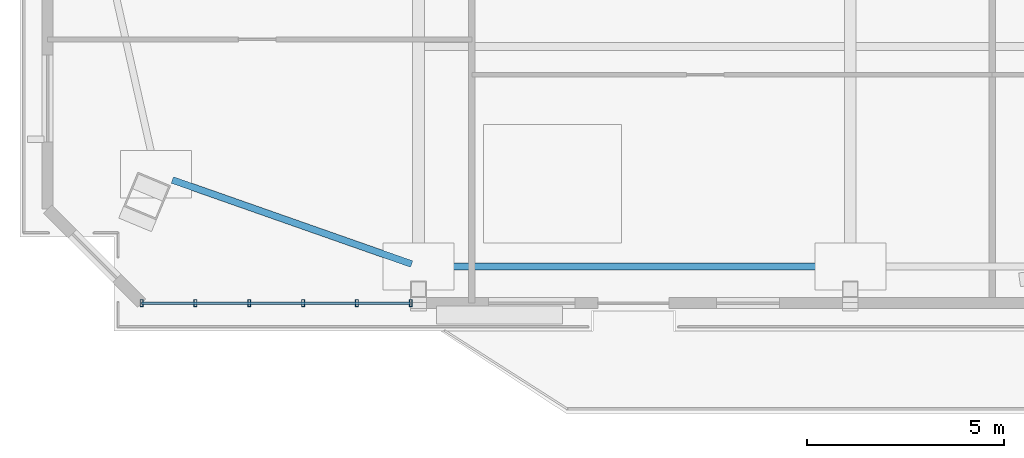
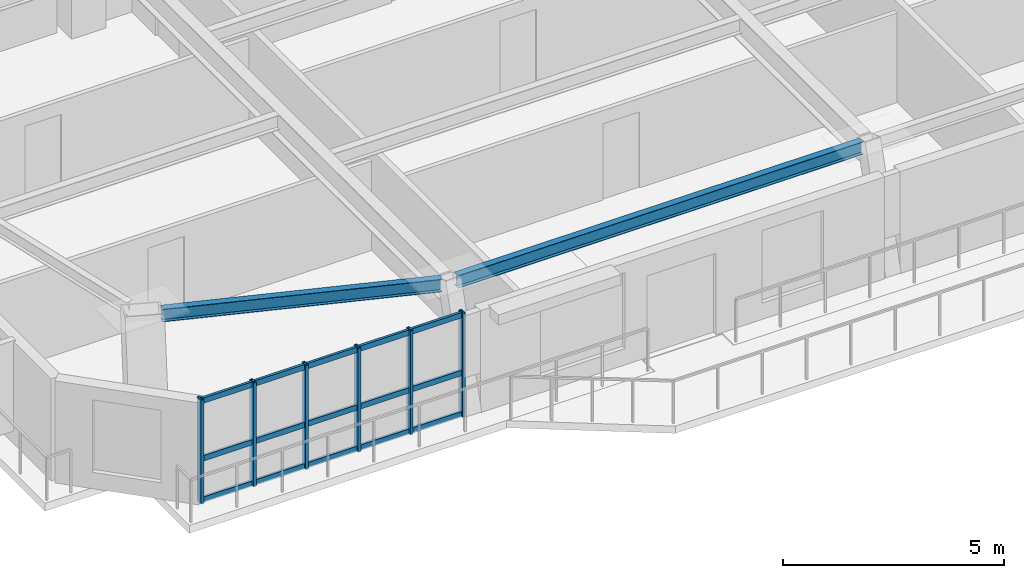
# One storey, part 2 of 14: 9 members, 2 beams, 1 element without a shape of its own.
"""IFC4 building model written with IfcOpenShell, lengths in metres."""

import ifcopenshell
import ifcopenshell.guid

model = None  # the IFC model being written
_history = None  # IfcOwnerHistory: only IFC2X3 demands one
_inside = {}  # id of a spatial element -> (the spatial element, [elements in it])
_under = {}  # id of a project, library or spatial element -> (it, [spatial elements below it])
_declared = {}  # id of a project -> (the project, [libraries it declares])
_typed = {}  # id of a type object -> (the type object, [elements of that type])
_made_of = {}  # id of a material, layer set ... -> (it, [elements and type objects made of it])


def new_model(schema):
    """Start an empty IFC model of exactly this schema.

    Asked for "IFC4X3", IfcOpenShell would pick the latest addendum, in which some entities
    have other attributes; the version numbers below select the first issue.
    IFC2X3 requires an IfcOwnerHistory on every rooted entity: one is made here for all.
    """
    global model, _history
    if schema == "IFC4X3":
        model = ifcopenshell.file(schema_version=(4, 3, 0, 0))
    else:
        model = ifcopenshell.file(schema=schema)
    _inside.clear()
    _under.clear()
    _declared.clear()
    _typed.clear()
    _made_of.clear()
    _history = None
    if model.schema == "IFC2X3":
        org = make("IfcOrganization", Name="unknown")
        user = make(
            "IfcPersonAndOrganization",
            ThePerson=make("IfcPerson", FamilyName="unknown"),
            TheOrganization=org,
        )
        app = make(
            "IfcApplication",
            ApplicationDeveloper=org,
            Version="unknown",
            ApplicationFullName="unknown",
            ApplicationIdentifier="unknown",
        )
        _history = make(
            "IfcOwnerHistory",
            OwningUser=user,
            OwningApplication=app,
            ChangeAction="ADDED",
            CreationDate=0,
        )
    return model


def make(cls, **values):
    """One entity of the class cls with the attributes given. An attribute that is None is left unset."""
    return model.create_entity(
        cls, **{name: value for name, value in values.items() if value is not None}
    )


def rooted(cls, **values):
    """An entity with a GlobalId (a new one), such as an element, a storey or a relation."""
    return make(cls, GlobalId=ifcopenshell.guid.new(), OwnerHistory=_history, **values)


def si_unit(unit_type, name, prefix=None):
    """IfcSIUnit, for example si_unit("LENGTHUNIT", "METRE", prefix="MILLI")."""
    return make("IfcSIUnit", UnitType=unit_type, Prefix=prefix, Name=name)


def assignment(units):
    """IfcUnitAssignment: the units of a project."""
    return None if units is None else make("IfcUnitAssignment", Units=units)


def point(xyz):
    """IfcCartesianPoint."""
    return None if xyz is None else make("IfcCartesianPoint", Coordinates=xyz)


def direction(xyz):
    """IfcDirection."""
    return None if xyz is None else make("IfcDirection", DirectionRatios=xyz)


def frame(location, z_axis=None, x_axis=None):
    """IfcAxis2Placement3D, a coordinate frame: its origin and axes. An axis left out is left unset."""
    return make(
        "IfcAxis2Placement3D",
        Location=point(location),
        Axis=direction(z_axis),
        RefDirection=direction(x_axis),
    )


def frame_2d(location, x_axis=None):
    """IfcAxis2Placement2D, a coordinate frame in the plane: its origin and x axis."""
    return make(
        "IfcAxis2Placement2D", Location=point(location), RefDirection=direction(x_axis)
    )


def origin():
    """The frame at (0, 0, 0) with its axes left unset."""
    return frame((0.0, 0.0, 0.0))


def origin_2d():
    """The frame at (0, 0) in the plane with its x axis left unset."""
    return frame_2d((0.0, 0.0))


def place(relative_to, where):
    """IfcLocalPlacement: puts the frame where relative to a parent placement (None: the world)."""
    return make(
        "IfcLocalPlacement", PlacementRelTo=relative_to, RelativePlacement=where
    )


def context(
    kind, dimensions, precision=None, world=None, true_north=None, identifier=None
):
    """IfcGeometricRepresentationContext, for example the 3D "Model" context."""
    return make(
        "IfcGeometricRepresentationContext",
        ContextIdentifier=identifier,
        ContextType=kind,
        CoordinateSpaceDimension=dimensions,
        Precision=precision,
        WorldCoordinateSystem=world,
        TrueNorth=true_north,
    )


def subcontext(parent, identifier, kind, view, scale=None):
    """IfcGeometricRepresentationSubContext, for example "Body" below "Model"."""
    return make(
        "IfcGeometricRepresentationSubContext",
        ContextIdentifier=identifier,
        ContextType=kind,
        ParentContext=parent,
        TargetScale=scale,
        TargetView=view,
    )


def project(units=None, contexts=None):
    """IfcProject with its units and contexts."""
    return rooted(
        "IfcProject",
        Name="project",
        RepresentationContexts=contexts,
        UnitsInContext=assignment(units),
    )


def spatial(cls, under=None, at=None, **own):
    """A site, building, storey or space (cls), placed at a placement, below another one or the project."""
    s = rooted(cls, ObjectPlacement=at, **own)
    if under is not None:
        _under.setdefault(under.id(), (under, []))[1].append(s)
    return s


def profile(cls, at=None, kind="AREA", **sizes):
    """A parametric profile (cls). Its sizes go by their IFC names, for example OverallWidth=200.0."""
    return make(cls, ProfileType=kind, Position=at, **sizes)


def hollow_rectangle(**sizes):
    """IfcRectangleHollowProfileDef."""
    return profile("IfcRectangleHollowProfileDef", **sizes)


def i_section(**sizes):
    """IfcIShapeProfileDef."""
    return profile("IfcIShapeProfileDef", **sizes)


def extrude(swept, where, along, depth):
    """IfcExtrudedAreaSolid: the profile swept, set in the frame where, extruded along a direction by depth."""
    return make(
        "IfcExtrudedAreaSolid",
        SweptArea=swept,
        Position=where,
        ExtrudedDirection=direction(along),
        Depth=depth,
    )


def shape(context_of_items, identifier, shape_type, items):
    """IfcShapeRepresentation: the items that make up one representation, for example the "Body"."""
    return make(
        "IfcShapeRepresentation",
        ContextOfItems=context_of_items,
        RepresentationIdentifier=identifier,
        RepresentationType=shape_type,
        Items=items,
    )


def source(mapping_origin, context_of_items, identifier, shape_type, items):
    """IfcRepresentationMap: a shape defined once, which mapped items show again and again."""
    return make(
        "IfcRepresentationMap",
        MappingOrigin=mapping_origin,
        MappedRepresentation=shape(context_of_items, identifier, shape_type, items),
    )


def transform(
    local_origin,
    x_axis=None,
    y_axis=None,
    z_axis=None,
    scale=None,
    scale2=None,
    scale3=None,
    uniform=True,
):
    """IfcCartesianTransformationOperator3D, or its non-uniform kind. x_axis, y_axis, z_axis: its Axis1, 2, 3."""
    if uniform:
        return make(
            "IfcCartesianTransformationOperator3D",
            Axis1=direction(x_axis),
            Axis2=direction(y_axis),
            LocalOrigin=point(local_origin),
            Scale=scale,
            Axis3=direction(z_axis),
        )
    return make(
        "IfcCartesianTransformationOperator3DnonUniform",
        Axis1=direction(x_axis),
        Axis2=direction(y_axis),
        LocalOrigin=point(local_origin),
        Scale=scale,
        Axis3=direction(z_axis),
        Scale2=scale2,
        Scale3=scale3,
    )


def mapped(mapping_source, mapping_target):
    """IfcMappedItem: shows the shape of a source again, moved by a transform."""
    return make(
        "IfcMappedItem", MappingSource=mapping_source, MappingTarget=mapping_target
    )


def material(Name=None, Category=None):
    """IfcMaterial."""
    return make("IfcMaterial", Name=Name, Category=Category)


def layer(
    of_material, thickness, ventilated=None, Name=None, Category=None, Priority=None
):
    """IfcMaterialLayer: one layer of a wall or slab, of a material (None: an air gap)."""
    return make(
        "IfcMaterialLayer",
        Material=of_material,
        LayerThickness=thickness,
        IsVentilated=ventilated,
        Name=Name,
        Category=Category,
        Priority=Priority,
    )


def layer_set(layers, Name=None):
    """IfcMaterialLayerSet."""
    return make("IfcMaterialLayerSet", MaterialLayers=layers, LayerSetName=Name)


def material_profile(
    of_material, cross_section, Name=None, Category=None, Priority=None
):
    """IfcMaterialProfile: a cross section and its material."""
    return make(
        "IfcMaterialProfile",
        Name=Name,
        Material=of_material,
        Profile=cross_section,
        Priority=Priority,
        Category=Category,
    )


def profile_set(profiles, Name=None, composite=None):
    """IfcMaterialProfileSet."""
    return make(
        "IfcMaterialProfileSet",
        Name=Name,
        MaterialProfiles=profiles,
        CompositeProfile=composite,
    )


def made_of(thing, what):
    """Note that an element or type object is made of a material, layer set ...; save() writes the relation."""
    if what is not None:
        _made_of.setdefault(what.id(), (what, []))[1].append(thing)
    return thing


def type_object(cls, material=None, **own):
    """A type object (cls), such as IfcWallType, which elements share."""
    return made_of(rooted(cls, **own), material)


def element(
    cls,
    number,
    at=None,
    inside=None,
    cuts=None,
    type_object=None,
    material=None,
    context=None,
    identifier="Body",
    shape_type=None,
    held_by="IfcProductDefinitionShape",
    body=None,
    shapes=None,
    **own,
):
    """One element of the class cls, such as IfcWall. Its Tag is "e" and its number.

    at: its placement. inside: the storey or other place that contains it. cuts: it is an
    opening in that element (IfcRelVoidsElement). A single representation is given by context,
    identifier, shape_type and body (its items); several are given by shapes. held_by: the class
    of the entity that holds the representations. save() writes the other relations.
    """
    e = rooted(cls, Tag="e%d" % number, ObjectPlacement=at, **own)
    if body is not None:
        shapes = [shape(context, identifier, shape_type, body)]
    if shapes is not None:
        e.Representation = make(held_by, Representations=shapes)
    if inside is not None:
        _inside.setdefault(inside.id(), (inside, []))[1].append(e)
    if cuts is not None:
        rooted(
            "IfcRelVoidsElement", RelatingBuildingElement=cuts, RelatedOpeningElement=e
        )
    if type_object is not None:
        _typed.setdefault(type_object.id(), (type_object, []))[1].append(e)
    return made_of(e, material)


def aggregate(whole, parts):
    """IfcRelAggregates: a whole, such as a stair, and the parts it consists of."""
    return rooted("IfcRelAggregates", RelatingObject=whole, RelatedObjects=parts)


def save(model, path):
    """Write the relations noted so far, then the file.

    IfcRelAggregates (storeys below a building ...), IfcRelContainedInSpatialStructure (elements
    in a storey), IfcRelDefinesByType, IfcRelAssociatesMaterial and IfcRelDeclares: one each for
    every whole, place, type object, material and project.
    """
    for whole, parts in _under.values():
        aggregate(whole, parts)
    for where, things in _inside.values():
        rooted(
            "IfcRelContainedInSpatialStructure",
            RelatedElements=things,
            RelatingStructure=where,
        )
    for kind, things in _typed.values():
        rooted("IfcRelDefinesByType", RelatedObjects=things, RelatingType=kind)
    for what, things in _made_of.values():
        rooted("IfcRelAssociatesMaterial", RelatedObjects=things, RelatingMaterial=what)
    for by, libraries in _declared.values():
        rooted("IfcRelDeclares", RelatingContext=by, RelatedDefinitions=libraries)
    model.write(path)


model = new_model("IFC4")

# Units and contexts
model_context = context("Model", 3, precision=1e-05, world=origin(), true_north=direction((0.0, 1.0)))
body_context = subcontext(model_context, "Body", "Model", "MODEL_VIEW")
ifc_project = project(units=[si_unit("LENGTHUNIT", "METRE"), si_unit("AREAUNIT", "SQUARE_METRE"), si_unit("VOLUMEUNIT", "CUBIC_METRE"), si_unit("PLANEANGLEUNIT", "RADIAN"), si_unit("MASSUNIT", "GRAM", prefix="KILO")], contexts=[model_context])

# Site, building, storey
site_placement = place(None, origin())
site = spatial("IfcSite", under=ifc_project, at=site_placement, CompositionType="ELEMENT")
building_placement = place(site_placement, origin())
building = spatial("IfcBuilding", under=site, at=building_placement, Name="Giltprow Tower", CompositionType="ELEMENT")
storey_placement = place(building_placement, frame((0.0, 0.0, 310.800048828125)))
storey = spatial("IfcBuildingStorey", under=building, at=storey_placement, Name="L80", CompositionType="ELEMENT", Elevation=310.800048828125)

# Beams
ifc_material_1 = material(Name="Structural steel Q355B", Category="steel")
ifc_material_profile_1 = material_profile(ifc_material_1, i_section(OverallWidth=0.175048828125, OverallDepth=0.35009765625, WebThickness=0.007080078125, FlangeThickness=0.010986328125, at=origin_2d()), Name="HN 350x175x7x11")
ifc_profile_set_1 = profile_set([ifc_material_profile_1], Name="Structural steel Q355B")
beam_type = type_object("IfcBeamType", Name="BM-SPAN-HN350", PredefinedType="SPANDREL", material=ifc_profile_set_1)
shared_shape_1 = source(origin(), body_context, "Body", "SweptSolid", [
    extrude(i_section(OverallWidth=0.175048828125, OverallDepth=0.35009765625, WebThickness=0.007080078125, FlangeThickness=0.010986328125, at=origin_2d()), origin(), (0.0, 0.0, 1.0), 10.580078125),
])
beam_1_placement = place(storey_placement, frame((20.034912109375, 20.7041015625, 3.010009765625), z_axis=(1.0, 0.0, 0.0), x_axis=(0.0, 1.0, 0.0)))
element("IfcBeam", 1, at=beam_1_placement, inside=storey, type_object=beam_type, Name="L80 Perimeter Spandrel Beam S1-S2", PredefinedType="SPANDREL", context=body_context, shape_type="MappedRepresentation", body=[
    mapped(shared_shape_1, transform((0.0, 0.0, 0.0), x_axis=(1.0, 0.0, 0.0), y_axis=(0.0, 1.0, 0.0), z_axis=(0.0, 0.0, 1.0), scale=1.0)),
])
shared_shape_2 = source(origin(), body_context, "Body", "SweptSolid", [
    extrude(i_section(OverallWidth=0.175048828125, OverallDepth=0.35009765625, WebThickness=0.007080078125, FlangeThickness=0.010986328125, at=origin_2d()), origin(), (0.0, 0.0, 1.0), 6.435791015625),
])
beam_2_placement = place(storey_placement, frame((13.60302734375, 22.89794921875, 3.010009765625), z_axis=(0.943477453227, -0.331436713797, 0.0), x_axis=(0.331436713797, 0.943477453227, 0.0)))
element("IfcBeam", 2, at=beam_2_placement, inside=storey, type_object=beam_type, Name="L80 Perimeter Spandrel Beam MC_SW-S1", PredefinedType="SPANDREL", context=body_context, shape_type="MappedRepresentation", body=[
    mapped(shared_shape_2, transform((0.0, 0.0, 0.0), x_axis=(1.0, 0.0, 0.0), y_axis=(0.0, 1.0, 0.0), z_axis=(0.0, 0.0, 1.0), scale=1.0)),
])

# Curtain wall, members
ifc_material_2 = material(Name="Anodized bronze", Category="metal")
ifc_layer = layer(ifc_material_2, 0.179931640625, Name="Anodized bronze")
ifc_layer_set = layer_set([ifc_layer], Name="Anodized bronze")
curtain_wall_type = type_object("IfcCurtainWallType", Name="CW-RES-SKY", PredefinedType="NOTDEFINED", material=ifc_layer_set)
curtain_wall_placement = place(storey_placement, origin())
curtain_wall = element("IfcCurtainWall", 3, at=curtain_wall_placement, inside=storey, type_object=curtain_wall_type, Name="L80 South Recessed Curtain Wall 1", PredefinedType="NOTDEFINED")
ifc_material_profile_2 = material_profile(ifc_material_2, hollow_rectangle(XDim=0.074951171875, YDim=0.179931640625, WallThickness=0.008056640625, at=origin_2d()), Name="RHS 180x75x8")
ifc_profile_set_2 = profile_set([ifc_material_profile_2], Name="Anodized bronze")
member_type_1 = type_object("IfcMemberType", Name="CW-MULLION-180x75", PredefinedType="MULLION", material=ifc_profile_set_2)
shared_shape_3 = source(origin(), body_context, "Body", "SweptSolid", [
    extrude(hollow_rectangle(XDim=0.074951171875, YDim=0.179931640625, WallThickness=0.008056640625, at=origin_2d()), origin(), (0.0, 0.0, 1.0), 2.869873046875),
])
member_1_placement = place(storey_placement, frame((12.824951171875, 19.77197265625, -0.02001953125), z_axis=(0.0, 0.0, 1.0), x_axis=(1.0, 0.0, 0.0)))
member_1 = element("IfcMember", 4, at=member_1_placement, type_object=member_type_1, Name="L80 South Recessed Curtain Wall 1 Mullion 1", PredefinedType="MULLION", context=body_context, shape_type="MappedRepresentation", body=[
    mapped(shared_shape_3, transform((0.0, 0.0, 0.0), x_axis=(1.0, 0.0, 0.0), y_axis=(0.0, 1.0, 0.0), z_axis=(0.0, 0.0, 1.0), scale=1.0)),
])
member_2_placement = place(storey_placement, frame((14.18994140625, 19.77197265625, -0.02001953125), z_axis=(0.0, 0.0, 1.0), x_axis=(1.0, 0.0, 0.0)))
member_2 = element("IfcMember", 5, at=member_2_placement, type_object=member_type_1, Name="L80 South Recessed Curtain Wall 1 Mullion 2", PredefinedType="MULLION", context=body_context, shape_type="MappedRepresentation", body=[
    mapped(shared_shape_3, transform((0.0, 0.0, 0.0), x_axis=(1.0, 0.0, 0.0), y_axis=(0.0, 1.0, 0.0), z_axis=(0.0, 0.0, 1.0), scale=1.0)),
])
member_3_placement = place(storey_placement, frame((15.554931640625, 19.77197265625, -0.02001953125), z_axis=(0.0, 0.0, 1.0), x_axis=(1.0, 0.0, 0.0)))
member_3 = element("IfcMember", 6, at=member_3_placement, type_object=member_type_1, Name="L80 South Recessed Curtain Wall 1 Mullion 3", PredefinedType="MULLION", context=body_context, shape_type="MappedRepresentation", body=[
    mapped(shared_shape_3, transform((0.0, 0.0, 0.0), x_axis=(1.0, 0.0, 0.0), y_axis=(0.0, 1.0, 0.0), z_axis=(0.0, 0.0, 1.0), scale=1.0)),
])
member_4_placement = place(storey_placement, frame((16.919921875, 19.77197265625, -0.02001953125), z_axis=(0.0, 0.0, 1.0), x_axis=(1.0, 0.0, 0.0)))
member_4 = element("IfcMember", 7, at=member_4_placement, type_object=member_type_1, Name="L80 South Recessed Curtain Wall 1 Mullion 4", PredefinedType="MULLION", context=body_context, shape_type="MappedRepresentation", body=[
    mapped(shared_shape_3, transform((0.0, 0.0, 0.0), x_axis=(1.0, 0.0, 0.0), y_axis=(0.0, 1.0, 0.0), z_axis=(0.0, 0.0, 1.0), scale=1.0)),
])
member_5_placement = place(storey_placement, frame((18.284912109375, 19.77197265625, -0.02001953125), z_axis=(0.0, 0.0, 1.0), x_axis=(1.0, 0.0, 0.0)))
member_5 = element("IfcMember", 8, at=member_5_placement, type_object=member_type_1, Name="L80 South Recessed Curtain Wall 1 Mullion 5", PredefinedType="MULLION", context=body_context, shape_type="MappedRepresentation", body=[
    mapped(shared_shape_3, transform((0.0, 0.0, 0.0), x_axis=(1.0, 0.0, 0.0), y_axis=(0.0, 1.0, 0.0), z_axis=(0.0, 0.0, 1.0), scale=1.0)),
])
member_6_placement = place(storey_placement, frame((19.64990234375, 19.77197265625, -0.02001953125), z_axis=(0.0, 0.0, 1.0), x_axis=(1.0, 0.0, 0.0)))
member_6 = element("IfcMember", 9, at=member_6_placement, type_object=member_type_1, Name="L80 South Recessed Curtain Wall 1 Mullion 6", PredefinedType="MULLION", context=body_context, shape_type="MappedRepresentation", body=[
    mapped(shared_shape_3, transform((0.0, 0.0, 0.0), x_axis=(1.0, 0.0, 0.0), y_axis=(0.0, 1.0, 0.0), z_axis=(0.0, 0.0, 1.0), scale=1.0)),
])
ifc_material_profile_3 = material_profile(ifc_material_2, hollow_rectangle(XDim=0.06494140625, YDim=0.14990234375, WallThickness=0.006103515625, at=origin_2d()), Name="RHS 150x65x6")
ifc_profile_set_3 = profile_set([ifc_material_profile_3], Name="Anodized bronze")
member_type_2 = type_object("IfcMemberType", Name="CW-TRANSOM-150x65", PredefinedType="USERDEFINED", material=ifc_profile_set_3)
shared_shape_4 = source(origin(), body_context, "Body", "SweptSolid", [
    extrude(hollow_rectangle(XDim=0.06494140625, YDim=0.14990234375, WallThickness=0.006103515625, at=origin_2d()), origin(), (0.0, 0.0, 1.0), 6.824951171875),
])
member_7_placement = place(storey_placement, frame((12.824951171875, 19.77197265625, 0.0400390625), z_axis=(1.0, 0.0, 0.0), x_axis=(0.0, 1.0, 0.0)))
member_7 = element("IfcMember", 10, at=member_7_placement, type_object=member_type_2, Name="L80 South Recessed Curtain Wall 1 Transom 1", ObjectType="TRANSOM", PredefinedType="USERDEFINED", context=body_context, shape_type="MappedRepresentation", body=[
    mapped(shared_shape_4, transform((0.0, 0.0, 0.0), x_axis=(1.0, 0.0, 0.0), y_axis=(0.0, 1.0, 0.0), z_axis=(0.0, 0.0, 1.0), scale=1.0)),
])
member_8_placement = place(storey_placement, frame((12.824951171875, 19.77197265625, 1.181884765625), z_axis=(1.0, 0.0, 0.0), x_axis=(0.0, 1.0, 0.0)))
member_8 = element("IfcMember", 11, at=member_8_placement, type_object=member_type_2, Name="L80 South Recessed Curtain Wall 1 Transom 2", ObjectType="TRANSOM", PredefinedType="USERDEFINED", context=body_context, shape_type="MappedRepresentation", body=[
    mapped(shared_shape_4, transform((0.0, 0.0, 0.0), x_axis=(1.0, 0.0, 0.0), y_axis=(0.0, 1.0, 0.0), z_axis=(0.0, 0.0, 1.0), scale=1.0)),
])
member_9_placement = place(storey_placement, frame((12.824951171875, 19.77197265625, 2.77490234375), z_axis=(1.0, 0.0, 0.0), x_axis=(0.0, 1.0, 0.0)))
member_9 = element("IfcMember", 12, at=member_9_placement, type_object=member_type_2, Name="L80 South Recessed Curtain Wall 1 Transom 3", ObjectType="TRANSOM", PredefinedType="USERDEFINED", context=body_context, shape_type="MappedRepresentation", body=[
    mapped(shared_shape_4, transform((0.0, 0.0, 0.0), x_axis=(1.0, 0.0, 0.0), y_axis=(0.0, 1.0, 0.0), z_axis=(0.0, 0.0, 1.0), scale=1.0)),
])
aggregate(curtain_wall, [member_1, member_2, member_3, member_4, member_5, member_6, member_7, member_8, member_9])

save(model, "model.ifc")
